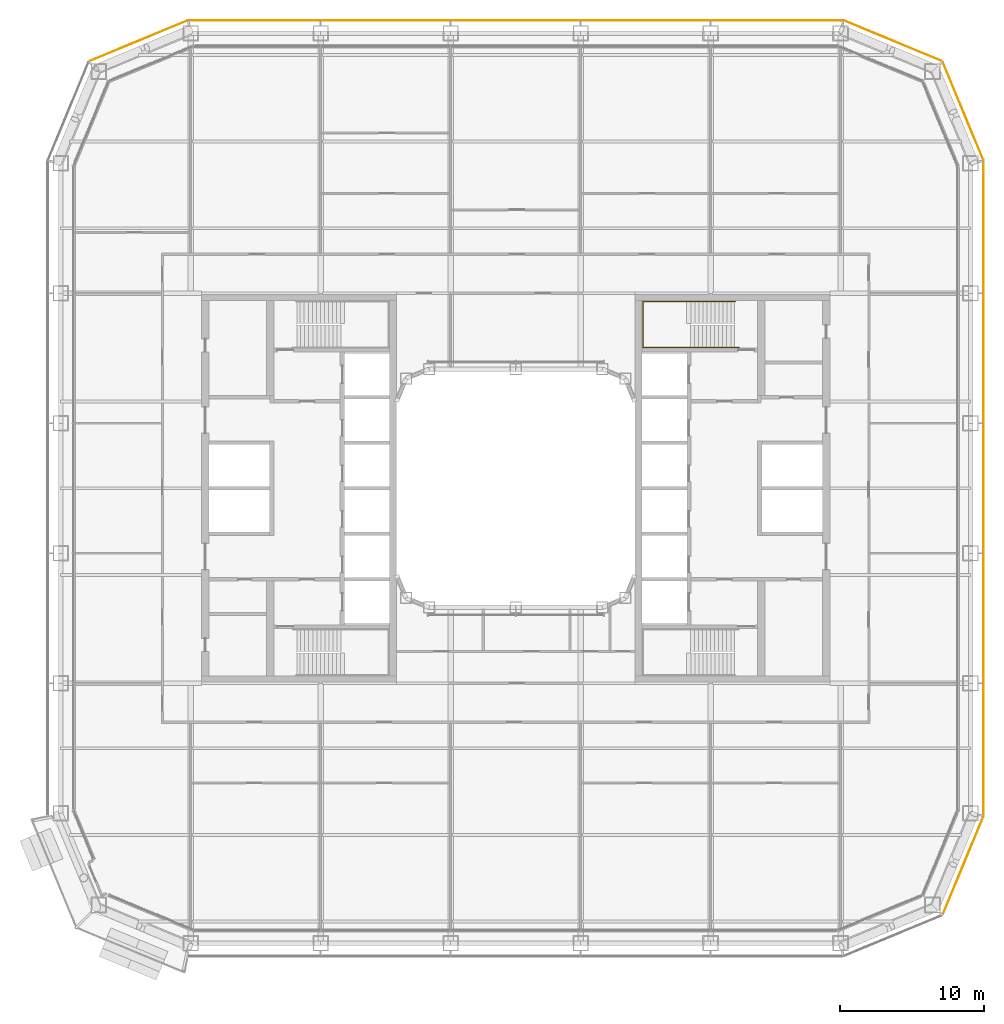
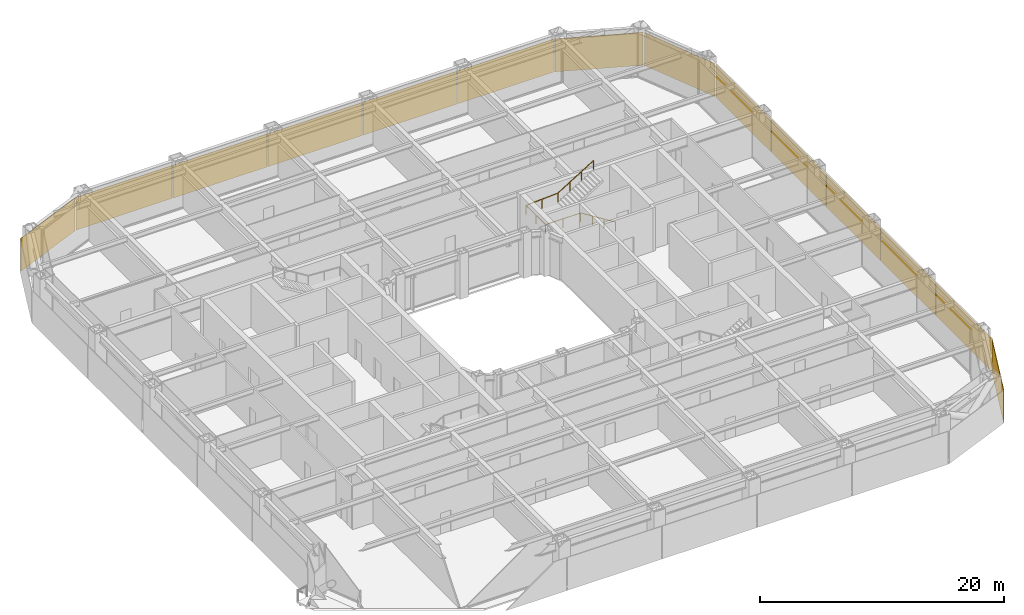
# One storey, part 26 of 27: 14 coverings, 1 railing.
"""IFC4 building model written with IfcOpenShell, lengths in metres."""

from ifc_helpers import new_model, si_unit, direction, frame, origin, origin_2d, place, context, subcontext, project, spatial, rectangle, circle, extrude, material, layer, layer_set, type_object, element, save


model = new_model("IFC4")

# Units and contexts
model_context = context("Model", 3, precision=1e-05, world=origin(), true_north=direction((0.0, 1.0)))
body_context = subcontext(model_context, "Body", "Model", "MODEL_VIEW")
ifc_project = project(units=[si_unit("LENGTHUNIT", "METRE"), si_unit("AREAUNIT", "SQUARE_METRE"), si_unit("VOLUMEUNIT", "CUBIC_METRE"), si_unit("PLANEANGLEUNIT", "RADIAN"), si_unit("MASSUNIT", "GRAM", prefix="KILO")], contexts=[model_context])

# Site, building, storey
site_placement = place(None, origin())
site = spatial("IfcSite", under=ifc_project, at=site_placement, CompositionType="ELEMENT")
building_placement = place(site_placement, origin())
building = spatial("IfcBuilding", under=site, at=building_placement, Name="Siwar Civic Tower", CompositionType="ELEMENT")
storey_placement = place(building_placement, frame((0.0, 0.0, 35.699951171875)))
storey = spatial("IfcBuildingStorey", under=building, at=storey_placement, Name="L07", CompositionType="ELEMENT", Elevation=35.699951171875)

# Railing
ifc_material_1 = material(Name="Stainless steel", Category="steel")
railing_type = type_object("IfcRailingType", Name="CORE-STAIR-HANDRAIL", PredefinedType="HANDRAIL", material=ifc_material_1)
railing_placement = place(storey_placement, frame((15.449951171875, 9.758056640625, 0.173095703125)))
element("IfcRailing", 1, at=railing_placement, inside=storey, type_object=railing_type, Name="Stair handrail ST3", PredefinedType="HANDRAIL", context=body_context, shape_type="SweptSolid", body=[
    extrude(circle(Radius=0.02001953125, at=origin_2d()), frame((0.0, 0.0, 0.8798828125), z_axis=(-0.847063342986, 0.0, 0.531491950051), x_axis=(0.0, -1.0, 0.0)), (0.0, 0.0, 1.0), 3.90771484375),
    extrude(circle(Radius=0.02001953125, at=origin_2d()), frame((-3.31005859375, 0.0, 2.956787109375), z_axis=(-1.0, 0.0, 0.0), x_axis=(0.0, -1.0, 0.0)), (0.0, 0.0, 1.0), 3.331787109375),
    extrude(circle(Radius=0.02001953125, at=origin_2d()), frame((-6.641845703125, 0.0, 2.956787109375), z_axis=(0.0, 1.0, 0.0), x_axis=(-1.0, 0.0, 0.0)), (0.0, 0.0, 1.0), 3.183837890625),
    extrude(circle(Radius=0.02001953125, at=origin_2d()), frame((-6.641845703125, 3.183837890625, 2.956787109375), z_axis=(0.99837434197, 0.0, 0.056997134106), x_axis=(0.0, 1.0, 0.0)), (0.0, 0.0, 1.0), 3.036865234375),
    extrude(circle(Radius=0.02001953125, at=origin_2d()), frame((-3.60986328125, 3.183837890625, 3.1298828125), z_axis=(0.850606129759, 0.0, 0.525803396734), x_axis=(0.0, 1.0, 0.0)), (0.0, 0.0, 1.0), 3.949951171875),
    extrude(circle(Radius=0.02001953125, at=origin_2d()), origin(), (0.0, 0.0, 1.0), 0.85986328125),
    extrude(circle(Radius=0.02001953125, at=origin_2d()), frame((-1.103271484375, 0.0, 0.6923828125)), (0.0, 0.0, 1.0), 0.85986328125),
    extrude(circle(Radius=0.02001953125, at=origin_2d()), frame((-2.206787109375, 0.0, 1.384521484375)), (0.0, 0.0, 1.0), 0.85986328125),
    extrude(circle(Radius=0.02001953125, at=origin_2d()), frame((-3.31005859375, 0.0, 2.076904296875)), (0.0, 0.0, 1.0), 0.85986328125),
    extrude(circle(Radius=0.02001953125, at=origin_2d()), frame((-4.97607421875, 0.0, 2.076904296875)), (0.0, 0.0, 1.0), 0.85986328125),
    extrude(circle(Radius=0.02001953125, at=origin_2d()), frame((-6.641845703125, 0.0, 2.076904296875)), (0.0, 0.0, 1.0), 0.85986328125),
    extrude(circle(Radius=0.02001953125, at=origin_2d()), frame((-6.641845703125, 1.591796875, 2.076904296875)), (0.0, 0.0, 1.0), 0.85986328125),
    extrude(circle(Radius=0.02001953125, at=origin_2d()), frame((-6.641845703125, 3.183837890625, 2.076904296875)), (0.0, 0.0, 1.0), 0.85986328125),
    extrude(circle(Radius=0.02001953125, at=origin_2d()), frame((-5.1259765625, 3.183837890625, 2.16357421875)), (0.0, 0.0, 1.0), 0.85986328125),
    extrude(circle(Radius=0.02001953125, at=origin_2d()), frame((-3.60986328125, 3.183837890625, 2.25)), (0.0, 0.0, 1.0), 0.85986328125),
    extrude(circle(Radius=0.02001953125, at=origin_2d()), frame((-2.489990234375, 3.183837890625, 2.9423828125)), (0.0, 0.0, 1.0), 0.85986328125),
    extrude(circle(Radius=0.02001953125, at=origin_2d()), frame((-1.369873046875, 3.183837890625, 3.634521484375)), (0.0, 0.0, 1.0), 0.85986328125),
    extrude(circle(Radius=0.02001953125, at=origin_2d()), frame((-0.25, 3.183837890625, 4.326904296875)), (0.0, 0.0, 1.0), 0.85986328125),
])

# Coverings
ifc_material_2 = material(Name="Perforated aluminium cassette, pale metal", Category="aluminium")
ifc_layer_1 = layer(ifc_material_2, 0.0400390625)
ifc_layer_set_1 = layer_set([ifc_layer_1], Name="Perforated aluminium cassette, pale metal")
covering_type_1 = type_object("IfcCoveringType", Name="ENV-OUTER SKIN OS-1", PredefinedType="CLADDING", material=ifc_layer_set_1)
covering_1_placement = place(storey_placement, frame((32.39990234375, -18.07958984375, -0.14990234375), z_axis=(0.0, 0.0, 1.0), x_axis=(0.0, 1.0, 0.0)))
element("IfcCovering", 2, at=covering_1_placement, inside=storey, type_object=covering_type_1, Name="OUTER SKIN OS-1 E 1", PredefinedType="CLADDING", context=body_context, shape_type="SweptSolid", body=[
    extrude(rectangle(XDim=9.05908203125, YDim=0.0400390625, at=origin_2d()), origin(), (0.0, 0.0, 1.0), 3.300048828125),
])
for number, where, z_axis, x_axis, name in (
    (3, (32.39990234375, -9.0, -0.14990234375), (0.0, 0.0, 1.0), (0.0, 1.0, 0.0), "OUTER SKIN OS-1 E 2"),
    (4, (32.39990234375, 0.0, -0.14990234375), (0.0, 0.0, 1.0), (0.0, 1.0, 0.0), "OUTER SKIN OS-1 E 3"),
    (5, (32.39990234375, 9.0, -0.14990234375), (0.0, 0.0, 1.0), (0.0, 1.0, 0.0), "OUTER SKIN OS-1 E 4"),
):
    element("IfcCovering", number, at=place(storey_placement, frame(where, z_axis=z_axis, x_axis=x_axis)), inside=storey, type_object=covering_type_1, Name=name, PredefinedType="CLADDING", context=body_context, shape_type="SweptSolid", body=[
        extrude(rectangle(XDim=8.89990234375, YDim=0.0400390625, at=origin_2d()), origin(), (0.0, 0.0, 1.0), 3.300048828125),
    ])
covering_2_placement = place(storey_placement, frame((32.39990234375, 18.07958984375, -0.14990234375), z_axis=(0.0, 0.0, 1.0), x_axis=(0.0, 1.0, 0.0)))
element("IfcCovering", 6, at=covering_2_placement, inside=storey, type_object=covering_type_1, Name="OUTER SKIN OS-1 E 5", PredefinedType="CLADDING", context=body_context, shape_type="SweptSolid", body=[
    extrude(rectangle(XDim=9.05908203125, YDim=0.0400390625, at=origin_2d()), origin(), (0.0, 0.0, 1.0), 3.300048828125),
])
for number, where, z_axis, x_axis, name in (
    (7, (30.976318359375, 26.115966796875, -0.14990234375), (0.0, 0.0, 1.0), (-0.382683432365, 0.923879532511, 0.0), "OUTER SKIN OS-1 NE1 1"),
    (8, (26.115966796875, 30.976318359375, -0.14990234375), (0.0, 0.0, 1.0), (-0.923879532511, 0.382683432365, 0.0), "OUTER SKIN OS-1 NE2 1"),
):
    element("IfcCovering", number, at=place(storey_placement, frame(where, z_axis=z_axis, x_axis=x_axis)), inside=storey, type_object=covering_type_1, Name=name, PredefinedType="CLADDING", context=body_context, shape_type="SweptSolid", body=[
        extrude(rectangle(XDim=7.300048828125, YDim=0.0400390625, at=origin_2d()), origin(), (0.0, 0.0, 1.0), 3.300048828125),
    ])
covering_3_placement = place(storey_placement, frame((18.07958984375, 32.39990234375, -0.14990234375), z_axis=(0.0, 0.0, 1.0), x_axis=(-1.0, 0.0, 0.0)))
element("IfcCovering", 9, at=covering_3_placement, inside=storey, type_object=covering_type_1, Name="OUTER SKIN OS-1 N 1", PredefinedType="CLADDING", context=body_context, shape_type="SweptSolid", body=[
    extrude(rectangle(XDim=9.05908203125, YDim=0.0400390625, at=origin_2d()), origin(), (0.0, 0.0, 1.0), 3.300048828125),
])
for number, where, z_axis, x_axis, name in (
    (10, (9.0, 32.39990234375, -0.14990234375), (0.0, 0.0, 1.0), (-1.0, 0.0, 0.0), "OUTER SKIN OS-1 N 2"),
    (11, (0.0, 32.39990234375, -0.14990234375), (0.0, 0.0, 1.0), (-1.0, 0.0, 0.0), "OUTER SKIN OS-1 N 3"),
    (12, (-9.0, 32.39990234375, -0.14990234375), (0.0, 0.0, 1.0), (-1.0, 0.0, 0.0), "OUTER SKIN OS-1 N 4"),
):
    element("IfcCovering", number, at=place(storey_placement, frame(where, z_axis=z_axis, x_axis=x_axis)), inside=storey, type_object=covering_type_1, Name=name, PredefinedType="CLADDING", context=body_context, shape_type="SweptSolid", body=[
        extrude(rectangle(XDim=8.89990234375, YDim=0.0400390625, at=origin_2d()), origin(), (0.0, 0.0, 1.0), 3.300048828125),
    ])
covering_4_placement = place(storey_placement, frame((-18.07958984375, 32.39990234375, -0.14990234375), z_axis=(0.0, 0.0, 1.0), x_axis=(-1.0, 0.0, 0.0)))
element("IfcCovering", 13, at=covering_4_placement, inside=storey, type_object=covering_type_1, Name="OUTER SKIN OS-1 N 5", PredefinedType="CLADDING", context=body_context, shape_type="SweptSolid", body=[
    extrude(rectangle(XDim=9.05908203125, YDim=0.0400390625, at=origin_2d()), origin(), (0.0, 0.0, 1.0), 3.300048828125),
])
covering_5_placement = place(storey_placement, frame((-26.115966796875, 30.976318359375, -0.14990234375), z_axis=(0.0, 0.0, 1.0), x_axis=(-0.923879532511, -0.382683432365, 0.0)))
element("IfcCovering", 14, at=covering_5_placement, inside=storey, type_object=covering_type_1, Name="OUTER SKIN OS-1 NW1 1", PredefinedType="CLADDING", context=body_context, shape_type="SweptSolid", body=[
    extrude(rectangle(XDim=7.300048828125, YDim=0.0400390625, at=origin_2d()), origin(), (0.0, 0.0, 1.0), 3.300048828125),
])
ifc_material_3 = material(Name="Perforated aluminium cassette, pale metal", Category="aluminium")
ifc_layer_2 = layer(ifc_material_3, 0.044921875)
ifc_layer_set_2 = layer_set([ifc_layer_2], Name="Perforated aluminium cassette, pale metal")
covering_type_2 = type_object("IfcCoveringType", Name="ENV-OUTER SKIN OS-2", PredefinedType="CLADDING", material=ifc_layer_set_2)
covering_6_placement = place(storey_placement, frame((30.976318359375, -26.115966796875, -0.14990234375), z_axis=(0.0, 0.0, 1.0), x_axis=(0.382683432365, 0.923879532511, 0.0)))
element("IfcCovering", 15, at=covering_6_placement, inside=storey, type_object=covering_type_2, Name="OUTER SKIN OS-2 SE2 1", PredefinedType="CLADDING", context=body_context, shape_type="SweptSolid", body=[
    extrude(rectangle(XDim=7.300048828125, YDim=0.044921875, at=origin_2d()), origin(), (0.0, 0.0, 1.0), 3.300048828125),
])

save(model, "model.ifc")
